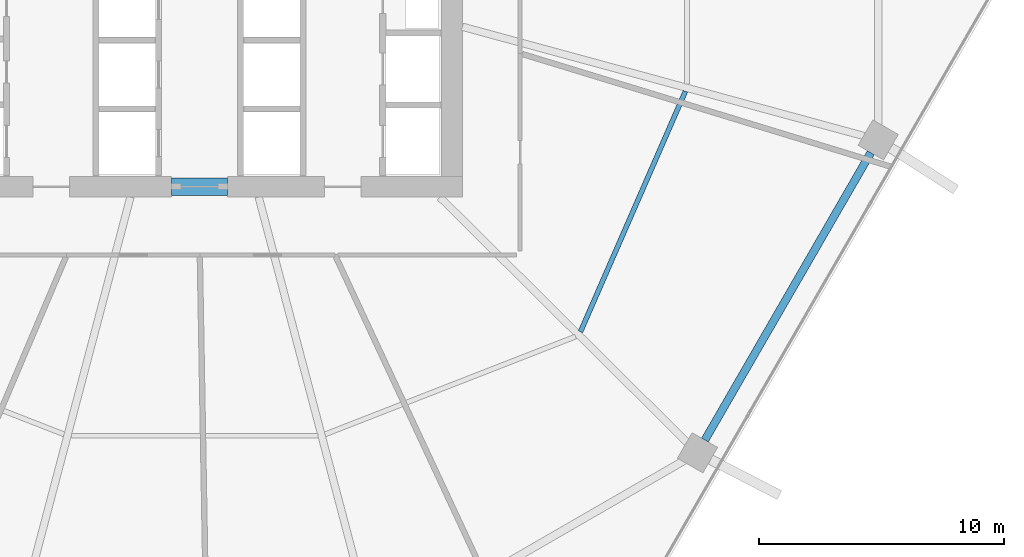
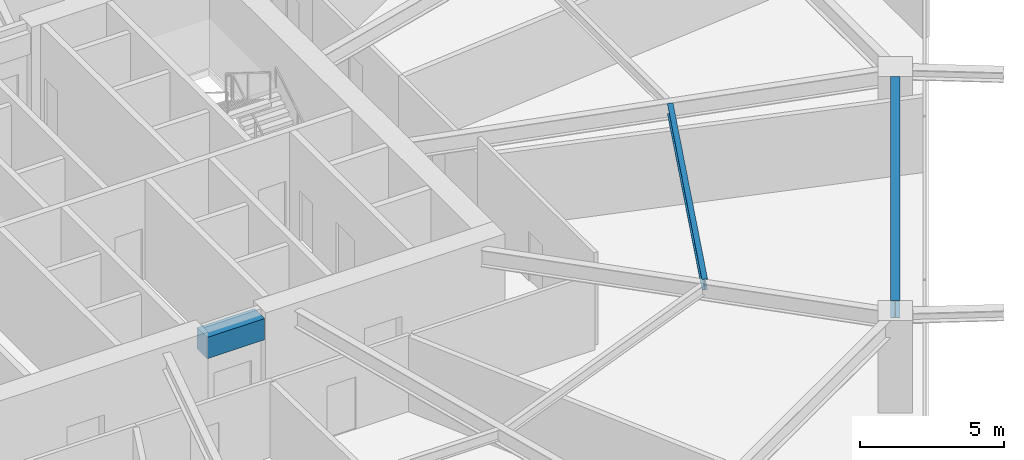
# One storey, part 10 of 25: 3 beams.
"""IFC4 building model written with IfcOpenShell, lengths in metres."""

from ifc_helpers import new_model, si_unit, direction, frame, origin, origin_2d, place, context, subcontext, project, spatial, rectangle, i_section, extrude, material, material_profile, profile_set, type_object, element, save


model = new_model("IFC4")

# Units and contexts
model_context = context("Model", 3, precision=1e-05, world=origin(), true_north=direction((0.0, 1.0)))
body_context = subcontext(model_context, "Body", "Model", "MODEL_VIEW")
ifc_project = project(units=[si_unit("LENGTHUNIT", "METRE"), si_unit("AREAUNIT", "SQUARE_METRE"), si_unit("VOLUMEUNIT", "CUBIC_METRE"), si_unit("PLANEANGLEUNIT", "RADIAN"), si_unit("MASSUNIT", "GRAM", prefix="KILO")], contexts=[model_context])

# Site, building, storey
site_placement = place(None, origin())
site = spatial("IfcSite", under=ifc_project, at=site_placement, CompositionType="ELEMENT")
building_placement = place(site_placement, origin())
building = spatial("IfcBuilding", under=site, at=building_placement, Name="Zuhravey Tower", CompositionType="ELEMENT")
storey_placement = place(building_placement, frame((0.0, 0.0, 62.39990234375)))
storey = spatial("IfcBuildingStorey", under=building, at=storey_placement, Name="L15", CompositionType="ELEMENT", Elevation=62.39990234375)

# Beams
ifc_material_1 = material(Name="Concrete C60/75", Category="concrete")
ifc_material_profile_1 = material_profile(ifc_material_1, rectangle(XDim=0.699951171875, YDim=0.89990234375, at=origin_2d()), Name="RC-700x900")
ifc_profile_set_1 = profile_set([ifc_material_profile_1], Name="Concrete C60/75")
beam_type_1 = type_object("IfcBeamType", Name="Core Coupling Beam RC700x900", PredefinedType="LINTEL", material=ifc_profile_set_1)
beam_1_placement = place(storey_placement, frame((35.052001953125, 22.5, 3.47021484375), z_axis=(1.0, 0.0, 0.0), x_axis=(0.0, 1.0, 0.0)))
element("IfcBeam", 1, at=beam_1_placement, inside=storey, type_object=beam_type_1, Name="L15 CB1 BM-L15-CB-S", PredefinedType="LINTEL", context=body_context, shape_type="SweptSolid", body=[
    extrude(rectangle(XDim=0.699951171875, YDim=0.89990234375, at=origin_2d()), origin(), (0.0, 0.0, 1.0), 2.2958984375),
])
ifc_material_2 = material(Name="Steel SM355", Category="steel")
ifc_material_profile_2 = material_profile(ifc_material_2, i_section(OverallWidth=0.320068359375, OverallDepth=0.75, WebThickness=0.013916015625, FlangeThickness=0.02490234375, at=origin_2d()), Name="H-750x320x14x25")
ifc_profile_set_2 = profile_set([ifc_material_profile_2], Name="Steel SM355")
beam_type_2 = type_object("IfcBeamType", Name="Perimeter Ring Beam H750x320", PredefinedType="BEAM", material=ifc_profile_set_2)
beam_2_placement = place(storey_placement, frame((56.820556640625, 12.165283203125, 3.545166015625), z_axis=(0.499999877243, 0.866025474658, 0.0), x_axis=(-0.866025474658, 0.499999877243, 0.0)))
element("IfcBeam", 2, at=beam_2_placement, inside=storey, type_object=beam_type_2, Name="L15 PB1 BM-L15-PB-11", PredefinedType="BEAM", context=body_context, shape_type="SweptSolid", body=[
    extrude(i_section(OverallWidth=0.320068359375, OverallDepth=0.75, WebThickness=0.013916015625, FlangeThickness=0.02490234375, at=origin_2d()), origin(), (0.0, 0.0, 1.0), 13.5341796875),
])
ifc_material_profile_3 = material_profile(ifc_material_2, i_section(OverallWidth=0.199951171875, OverallDepth=0.449951171875, WebThickness=0.009033203125, FlangeThickness=0.013916015625, at=origin_2d()), Name="H-450x200x9x14")
ifc_profile_set_3 = profile_set([ifc_material_profile_3], Name="Steel SM355")
beam_type_3 = type_object("IfcBeamType", Name="Secondary Floor Joist H450x200", PredefinedType="JOIST", material=ifc_profile_set_3)
beam_3_placement = place(storey_placement, frame((51.7451171875, 16.58154296875, 3.695068359375), z_axis=(0.399923551578, 0.916548500022, 0.0), x_axis=(-0.916548500022, 0.399923551578, 0.0)))
element("IfcBeam", 3, at=beam_3_placement, inside=storey, type_object=beam_type_3, Name="L15 SJ1 BM-L15-SJ-11-1", PredefinedType="JOIST", context=body_context, shape_type="SweptSolid", body=[
    extrude(i_section(OverallWidth=0.199951171875, OverallDepth=0.449951171875, WebThickness=0.009033203125, FlangeThickness=0.013916015625, at=origin_2d()), origin(), (0.0, 0.0, 1.0), 10.70263671875),
])

save(model, "model.ifc")
